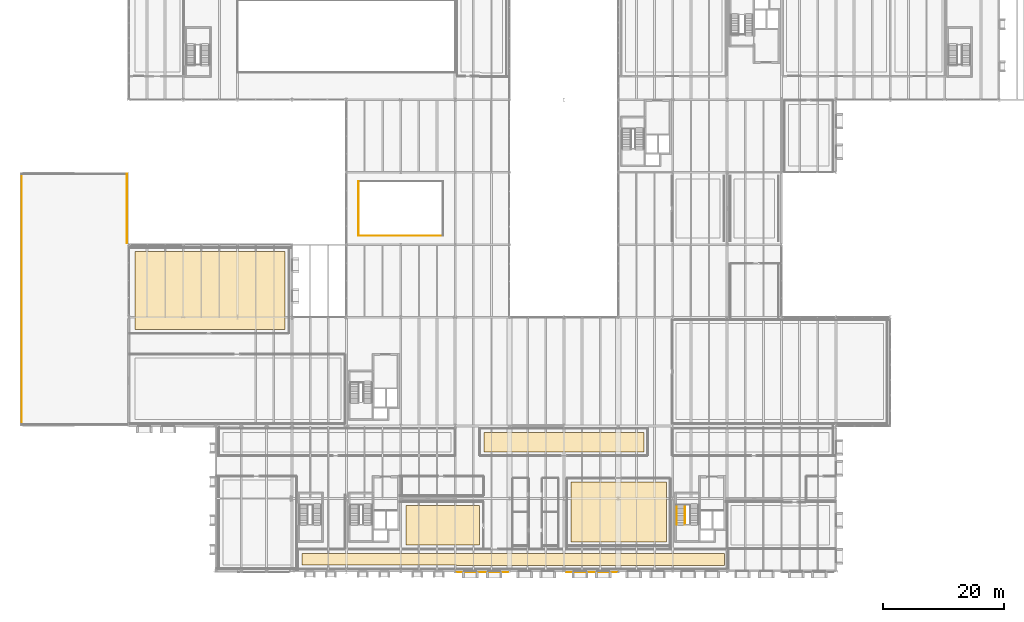
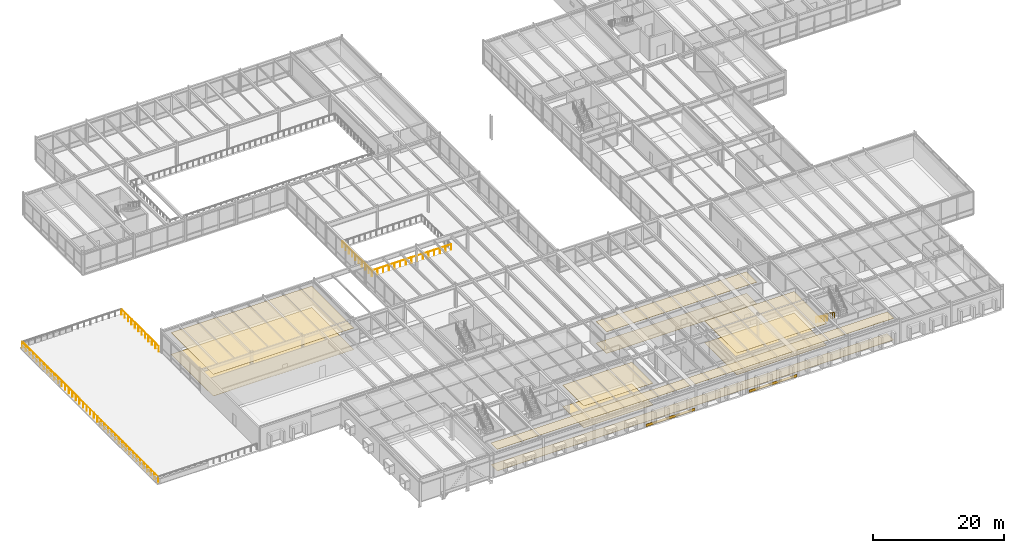
# One storey, part 121 of 127: 12 coverings, 6 railings.
"""IFC4 building model written with IfcOpenShell, lengths in metres."""

from ifc_helpers import new_model, si_unit, direction, frame, origin, origin_2d, place, context, subcontext, project, spatial, polyline, rectangle, circle, outline, extrude, material, layer, layer_set, type_object, element, save


model = new_model("IFC4")

# Units and contexts
model_context = context("Model", 3, precision=1e-05, world=origin(), true_north=direction((0.0, 1.0)))
body_context = subcontext(model_context, "Body", "Model", "MODEL_VIEW")
ifc_project = project(units=[si_unit("LENGTHUNIT", "METRE"), si_unit("AREAUNIT", "SQUARE_METRE"), si_unit("VOLUMEUNIT", "CUBIC_METRE"), si_unit("PLANEANGLEUNIT", "RADIAN"), si_unit("MASSUNIT", "GRAM", prefix="KILO")], contexts=[model_context])

# Site, building, storey
site_placement = place(None, origin())
site = spatial("IfcSite", under=ifc_project, at=site_placement, CompositionType="ELEMENT")
building_placement = place(site_placement, origin())
building = spatial("IfcBuilding", under=site, at=building_placement, Name="Montelvaro Courts of Justice", CompositionType="ELEMENT")
storey_placement = place(building_placement, frame((0.0, 0.0, 5.39990234375)))
storey = spatial("IfcBuildingStorey", under=building, at=storey_placement, Name="L01", CompositionType="ELEMENT", Elevation=5.39990234375)

# Coverings
ifc_material_1 = material(Name="Perforated acoustic gypsum ceiling")
ifc_layer_1 = layer(ifc_material_1, 0.0400390625)
ifc_layer_set_1 = layer_set([ifc_layer_1], Name="Perforated acoustic gypsum ceiling")
covering_type_1 = type_object("IfcCoveringType", Name="AcousticCeiling_Court", PredefinedType="CEILING", material=ifc_layer_set_1)
covering_1_placement = place(storey_placement, frame((0.0, 0.0, 4.02001953125)))
element("IfcCovering", 1, at=covering_1_placement, inside=storey, type_object=covering_type_1, Name="Acoustic Ceiling Panel AC-01 (L01-04)", PredefinedType="CEILING", context=body_context, shape_type="SweptSolid", body=[
    extrude(outline(polyline([(72.162109375, 0.99609375), (72.126953125, 1.0009765625), (72.072021484375, 1.007080078125), (72.037109375, 1.009033203125), (72.0, 1.010009765625), (46.64990234375, 1.010009765625), (46.64990234375, 2.949951171875), (116.550048828125, 2.949951171875), (116.550048828125, 0.949951171875), (72.342041015625, 0.949951171875), (72.31103515625, 0.9609375), (72.26708984375, 0.97412109375), (72.23193359375, 0.98291015625), (72.162109375, 0.99609375)])), origin(), (0.0, 0.0, 1.0), 0.0400390625),
])
covering_2_placement = place(storey_placement, frame((0.0, 0.0, 4.02001953125)))
element("IfcCovering", 2, at=covering_2_placement, inside=storey, type_object=covering_type_1, Name="Acoustic Ceiling Panel AC-01 (L01-23)", PredefinedType="CEILING", context=body_context, shape_type="SweptSolid", body=[
    extrude(outline(polyline([(19.050048828125, 52.85009765625), (43.85009765625, 52.85009765625), (43.85009765625, 39.949951171875), (19.050048828125, 39.949951171875), (19.050048828125, 52.85009765625)])), origin(), (0.0, 0.0, 1.0), 0.0400390625),
])
covering_3_placement = place(storey_placement, frame((0.0, 0.0, 4.02001953125)))
element("IfcCovering", 3, at=covering_3_placement, inside=storey, type_object=covering_type_1, Name="Acoustic Ceiling Panel AC-01 (L01-29)", PredefinedType="CEILING", context=body_context, shape_type="SweptSolid", body=[
    extrude(outline(polyline([(76.050048828125, 4.35009765625), (63.85009765625, 4.35009765625), (63.85009765625, 10.85009765625), (76.050048828125, 10.85009765625), (76.050048828125, 4.35009765625)])), origin(), (0.0, 0.0, 1.0), 0.0400390625),
])
covering_4_placement = place(storey_placement, frame((0.0, 0.0, 4.02001953125)))
element("IfcCovering", 4, at=covering_4_placement, inside=storey, type_object=covering_type_1, Name="Acoustic Ceiling Panel AC-01 (L01-32)", PredefinedType="CEILING", context=body_context, shape_type="SweptSolid", body=[
    extrude(outline(polyline([(76.75, 19.75), (76.75, 22.949951171875), (103.25, 22.949951171875), (103.25, 19.75), (76.75, 19.75)])), origin(), (0.0, 0.0, 1.0), 0.0400390625),
])
covering_5_placement = place(storey_placement, frame((0.0, 0.0, 4.02001953125)))
element("IfcCovering", 5, at=covering_5_placement, inside=storey, type_object=covering_type_1, Name="Acoustic Ceiling Panel AC-01 (L01-41)", PredefinedType="CEILING", context=body_context, shape_type="SweptSolid", body=[
    extrude(outline(polyline([(106.949951171875, 4.85009765625), (91.14990234375, 4.85009765625), (91.14990234375, 14.75), (106.949951171875, 14.75), (106.949951171875, 4.85009765625)])), origin(), (0.0, 0.0, 1.0), 0.0400390625),
])
ifc_material_2 = material(Name="White mineral precast concrete C45/55", Category="concrete")
ifc_layer_2 = layer(ifc_material_2, 0.0400390625)
ifc_layer_set_2 = layer_set([ifc_layer_2], Name="White mineral precast concrete C45/55")
covering_type_2 = type_object("IfcCoveringType", Name="BarCladding_GFRC", PredefinedType="CLADDING", material=ifc_layer_set_2)
covering_6_placement = place(storey_placement, frame((76.47509765625, -0.162109375, 0.030029296875), z_axis=(0.0, 0.0, 1.0), x_axis=(1.0, 0.0, 0.0)))
element("IfcCovering", 6, at=covering_6_placement, inside=storey, type_object=covering_type_2, Name="Horizontal White Bar Spandrel Cladding CL-01-006", PredefinedType="CLADDING", context=body_context, shape_type="SweptSolid", body=[
    extrude(rectangle(XDim=8.634033203125, YDim=0.0400390625, at=origin_2d()), origin(), (0.0, 0.0, 1.0), 0.5),
])
covering_7_placement = place(storey_placement, frame((94.58251953125, -0.162109375, 0.030029296875), z_axis=(0.0, 0.0, 1.0), x_axis=(1.0, 0.0, 0.0)))
element("IfcCovering", 7, at=covering_7_placement, inside=storey, type_object=covering_type_2, Name="Horizontal White Bar Spandrel Cladding CL-01-007", PredefinedType="CLADDING", context=body_context, shape_type="SweptSolid", body=[
    extrude(rectangle(XDim=8.4189453125, YDim=0.0400390625, at=origin_2d()), origin(), (0.0, 0.0, 1.0), 0.5),
])

# Railings
ifc_material_3 = material(Name="Steel S355", Category="steel")
railing_type_1 = type_object("IfcRailingType", Name="InteriorGuard_1100", PredefinedType="BALUSTRADE", material=ifc_material_3)
railing_1_placement = place(storey_placement, frame((110.010009765625, 11.0, 0.0)))
element("IfcRailing", 8, at=railing_1_placement, inside=storey, type_object=railing_type_1, Name="Stair Well Guard GR-02 ST-K2-L01-F1G", PredefinedType="BALUSTRADE", context=body_context, shape_type="SweptSolid", body=[
    extrude(circle(Radius=0.02392578125, at=origin_2d()), frame((0.0, 0.0, 1.076171875), z_axis=(0.0, -0.823407228882, 0.567450910146), x_axis=(1.0, 0.0, 0.0)), (0.0, 0.0, 1.0), 3.965087890625),
    extrude(circle(Radius=0.02099609375, at=origin_2d()), origin(), (0.0, 0.0, 1.0), 1.052001953125),
    extrude(circle(Radius=0.02099609375, at=origin_2d()), frame((0.0, -0.653076171875, 0.449951171875)), (0.0, 0.0, 1.0), 1.052001953125),
    extrude(circle(Radius=0.02099609375, at=origin_2d()), frame((0.0, -1.305908203125, 0.89990234375)), (0.0, 0.0, 1.0), 1.052001953125),
    extrude(circle(Radius=0.02099609375, at=origin_2d()), frame((0.0, -1.958984375, 1.35009765625)), (0.0, 0.0, 1.0), 1.052001953125),
    extrude(circle(Radius=0.02099609375, at=origin_2d()), frame((0.0, -2.61181640625, 1.800048828125)), (0.0, 0.0, 1.0), 1.052001953125),
    extrude(circle(Radius=0.02099609375, at=origin_2d()), frame((0.0, -3.264892578125, 2.25)), (0.0, 0.0, 1.0), 1.052001953125),
])
railing_2_placement = place(storey_placement, frame((56.0, 55.5, 0.0)))
element("IfcRailing", 9, at=railing_2_placement, inside=storey, type_object=railing_type_1, Name="Atrium Void Balustrade GR-02 (L01)", PredefinedType="BALUSTRADE", context=body_context, shape_type="SweptSolid", body=[
    extrude(circle(Radius=0.02392578125, at=origin_2d()), frame((0.0, 0.0, 1.076171875), z_axis=(1.0, 0.0, 0.0), x_axis=(0.0, 1.0, 0.0)), (0.0, 0.0, 1.0), 14.0),
    extrude(circle(Radius=0.02099609375, at=origin_2d()), origin(), (0.0, 0.0, 1.0), 1.052001953125),
    extrude(circle(Radius=0.02099609375, at=origin_2d()), frame((1.0, 0.0, 0.0)), (0.0, 0.0, 1.0), 1.052001953125),
    extrude(circle(Radius=0.02099609375, at=origin_2d()), frame((2.0, 0.0, 0.0)), (0.0, 0.0, 1.0), 1.052001953125),
    extrude(circle(Radius=0.02099609375, at=origin_2d()), frame((3.0, 0.0, 0.0)), (0.0, 0.0, 1.0), 1.052001953125),
    extrude(circle(Radius=0.02099609375, at=origin_2d()), frame((4.0, 0.0, 0.0)), (0.0, 0.0, 1.0), 1.052001953125),
    extrude(circle(Radius=0.02099609375, at=origin_2d()), frame((5.0, 0.0, 0.0)), (0.0, 0.0, 1.0), 1.052001953125),
    extrude(circle(Radius=0.02099609375, at=origin_2d()), frame((6.0, 0.0, 0.0)), (0.0, 0.0, 1.0), 1.052001953125),
    extrude(circle(Radius=0.02099609375, at=origin_2d()), frame((7.0, 0.0, 0.0)), (0.0, 0.0, 1.0), 1.052001953125),
    extrude(circle(Radius=0.02099609375, at=origin_2d()), frame((8.0, 0.0, 0.0)), (0.0, 0.0, 1.0), 1.052001953125),
    extrude(circle(Radius=0.02099609375, at=origin_2d()), frame((9.0, 0.0, 0.0)), (0.0, 0.0, 1.0), 1.052001953125),
    extrude(circle(Radius=0.02099609375, at=origin_2d()), frame((10.0, 0.0, 0.0)), (0.0, 0.0, 1.0), 1.052001953125),
    extrude(circle(Radius=0.02099609375, at=origin_2d()), frame((11.0, 0.0, 0.0)), (0.0, 0.0, 1.0), 1.052001953125),
    extrude(circle(Radius=0.02099609375, at=origin_2d()), frame((12.0, 0.0, 0.0)), (0.0, 0.0, 1.0), 1.052001953125),
    extrude(circle(Radius=0.02099609375, at=origin_2d()), frame((13.0, 0.0, 0.0)), (0.0, 0.0, 1.0), 1.052001953125),
    extrude(circle(Radius=0.02099609375, at=origin_2d()), frame((14.0, 0.0, 0.0)), (0.0, 0.0, 1.0), 1.052001953125),
])
railing_3_placement = place(storey_placement, frame((56.0, 64.5, 0.0)))
element("IfcRailing", 10, at=railing_3_placement, inside=storey, type_object=railing_type_1, Name="Atrium Void Balustrade GR-02 (L01)", PredefinedType="BALUSTRADE", context=body_context, shape_type="SweptSolid", body=[
    extrude(circle(Radius=0.02392578125, at=origin_2d()), frame((0.0, 0.0, 1.076171875), z_axis=(0.0, -1.0, 0.0), x_axis=(1.0, 0.0, 0.0)), (0.0, 0.0, 1.0), 9.0),
    extrude(circle(Radius=0.02099609375, at=origin_2d()), origin(), (0.0, 0.0, 1.0), 1.052001953125),
    extrude(circle(Radius=0.02099609375, at=origin_2d()), frame((0.0, -1.0, 0.0)), (0.0, 0.0, 1.0), 1.052001953125),
    extrude(circle(Radius=0.02099609375, at=origin_2d()), frame((0.0, -2.0, 0.0)), (0.0, 0.0, 1.0), 1.052001953125),
    extrude(circle(Radius=0.02099609375, at=origin_2d()), frame((0.0, -3.0, 0.0)), (0.0, 0.0, 1.0), 1.052001953125),
    extrude(circle(Radius=0.02099609375, at=origin_2d()), frame((0.0, -4.0, 0.0)), (0.0, 0.0, 1.0), 1.052001953125),
    extrude(circle(Radius=0.02099609375, at=origin_2d()), frame((0.0, -5.0, 0.0)), (0.0, 0.0, 1.0), 1.052001953125),
    extrude(circle(Radius=0.02099609375, at=origin_2d()), frame((0.0, -6.0, 0.0)), (0.0, 0.0, 1.0), 1.052001953125),
    extrude(circle(Radius=0.02099609375, at=origin_2d()), frame((0.0, -7.0, 0.0)), (0.0, 0.0, 1.0), 1.052001953125),
    extrude(circle(Radius=0.02099609375, at=origin_2d()), frame((0.0, -8.0, 0.0)), (0.0, 0.0, 1.0), 1.052001953125),
    extrude(circle(Radius=0.02099609375, at=origin_2d()), frame((0.0, -9.0, 0.0)), (0.0, 0.0, 1.0), 1.052001953125),
])

# Coverings
ifc_material_4 = material(Name="Alicante limestone judicial flooring", Category="masonry")
ifc_layer_3 = layer(ifc_material_4, 0.030029296875)
ifc_layer_set_3 = layer_set([ifc_layer_3], Name="Alicante limestone judicial flooring")
covering_type_3 = type_object("IfcCoveringType", Name="JudicialStoneFlooring", PredefinedType="FLOORING", material=ifc_layer_set_3)
covering_8_placement = place(storey_placement, origin())
element("IfcCovering", 11, at=covering_8_placement, inside=storey, type_object=covering_type_3, Name="Judicial Stone Flooring FLR-01 (L01-04)", PredefinedType="FLOORING", context=body_context, shape_type="SweptSolid", body=[
    extrude(outline(polyline([(72.162109375, 0.99609375), (72.126953125, 1.0009765625), (72.072021484375, 1.007080078125), (72.037109375, 1.009033203125), (72.0, 1.010009765625), (46.64990234375, 1.010009765625), (46.64990234375, 2.949951171875), (116.550048828125, 2.949951171875), (116.550048828125, 0.949951171875), (72.342041015625, 0.949951171875), (72.31103515625, 0.9609375), (72.26708984375, 0.97412109375), (72.23193359375, 0.98291015625), (72.162109375, 0.99609375)])), origin(), (0.0, 0.0, 1.0), 0.030029296875),
])
covering_9_placement = place(storey_placement, origin())
element("IfcCovering", 12, at=covering_9_placement, inside=storey, type_object=covering_type_3, Name="Judicial Stone Flooring FLR-01 (L01-23)", PredefinedType="FLOORING", context=body_context, shape_type="SweptSolid", body=[
    extrude(outline(polyline([(19.050048828125, 52.85009765625), (43.85009765625, 52.85009765625), (43.85009765625, 39.949951171875), (19.050048828125, 39.949951171875), (19.050048828125, 52.85009765625)])), origin(), (0.0, 0.0, 1.0), 0.030029296875),
])
covering_10_placement = place(storey_placement, origin())
element("IfcCovering", 13, at=covering_10_placement, inside=storey, type_object=covering_type_3, Name="Judicial Stone Flooring FLR-01 (L01-29)", PredefinedType="FLOORING", context=body_context, shape_type="SweptSolid", body=[
    extrude(outline(polyline([(76.050048828125, 4.35009765625), (63.85009765625, 4.35009765625), (63.85009765625, 10.85009765625), (76.050048828125, 10.85009765625), (76.050048828125, 4.35009765625)])), origin(), (0.0, 0.0, 1.0), 0.030029296875),
])
covering_11_placement = place(storey_placement, origin())
element("IfcCovering", 14, at=covering_11_placement, inside=storey, type_object=covering_type_3, Name="Judicial Stone Flooring FLR-01 (L01-32)", PredefinedType="FLOORING", context=body_context, shape_type="SweptSolid", body=[
    extrude(outline(polyline([(76.75, 19.75), (76.75, 22.949951171875), (103.25, 22.949951171875), (103.25, 19.75), (76.75, 19.75)])), origin(), (0.0, 0.0, 1.0), 0.030029296875),
])
covering_12_placement = place(storey_placement, origin())
element("IfcCovering", 15, at=covering_12_placement, inside=storey, type_object=covering_type_3, Name="Judicial Stone Flooring FLR-01 (L01-41)", PredefinedType="FLOORING", context=body_context, shape_type="SweptSolid", body=[
    extrude(outline(polyline([(106.949951171875, 4.85009765625), (91.14990234375, 4.85009765625), (91.14990234375, 14.75), (106.949951171875, 14.75), (106.949951171875, 4.85009765625)])), origin(), (0.0, 0.0, 1.0), 0.030029296875),
])

# Railings
ifc_material_5 = material(Name="Austenitic stainless steel EN 1.4401", Category="steel")
railing_type_2 = type_object("IfcRailingType", Name="StairHandrail_950", PredefinedType="HANDRAIL", material=ifc_material_5)
railing_4_placement = place(storey_placement, frame((108.659912109375, 11.0, 0.0)))
element("IfcRailing", 16, at=railing_4_placement, inside=storey, type_object=railing_type_2, Name="Stair Pitch Handrail HR-01 ST-K2-L01-F1H", PredefinedType="HANDRAIL", context=body_context, shape_type="SweptSolid", body=[
    extrude(circle(Radius=0.02392578125, at=origin_2d()), frame((0.0, 0.0, 0.92578125), z_axis=(0.0, -0.823407228882, 0.567450910146), x_axis=(1.0, 0.0, 0.0)), (0.0, 0.0, 1.0), 3.965087890625),
    extrude(circle(Radius=0.02099609375, at=origin_2d()), origin(), (0.0, 0.0, 1.0), 0.90185546875),
    extrude(circle(Radius=0.02099609375, at=origin_2d()), frame((0.0, -0.816162109375, 0.5625)), (0.0, 0.0, 1.0), 0.90185546875),
    extrude(circle(Radius=0.02099609375, at=origin_2d()), frame((0.0, -1.63232421875, 1.125)), (0.0, 0.0, 1.0), 0.90185546875),
    extrude(circle(Radius=0.02099609375, at=origin_2d()), frame((0.0, -2.44873046875, 1.6875)), (0.0, 0.0, 1.0), 0.90185546875),
    extrude(circle(Radius=0.02099609375, at=origin_2d()), frame((0.0, -3.264892578125, 2.25)), (0.0, 0.0, 1.0), 0.90185546875),
])
railing_type_3 = type_object("IfcRailingType", Name="TerraceGuard_1100", PredefinedType="BALUSTRADE", material=ifc_material_3)
railing_5_placement = place(storey_placement, frame((0.280029296875, 24.280029296875, 0.0)))
element("IfcRailing", 17, at=railing_5_placement, inside=storey, type_object=railing_type_3, Name="Terrace Balustrade Guard GR-01 (L01)", PredefinedType="BALUSTRADE", context=body_context, shape_type="SweptSolid", body=[
    extrude(circle(Radius=0.02392578125, at=origin_2d()), frame((0.0, 0.0, 1.076171875), z_axis=(0.0, 1.0, 0.0), x_axis=(-1.0, 0.0, 0.0)), (0.0, 0.0, 1.0), 41.43994140625),
    extrude(circle(Radius=0.02099609375, at=origin_2d()), origin(), (0.0, 0.0, 1.0), 1.052001953125),
    extrude(circle(Radius=0.02099609375, at=origin_2d()), frame((0.0, 1.090576171875, 0.0)), (0.0, 0.0, 1.0), 1.052001953125),
    extrude(circle(Radius=0.02099609375, at=origin_2d()), frame((0.0, 2.18115234375, 0.0)), (0.0, 0.0, 1.0), 1.052001953125),
    extrude(circle(Radius=0.02099609375, at=origin_2d()), frame((0.0, 3.271484375, 0.0)), (0.0, 0.0, 1.0), 1.052001953125),
    extrude(circle(Radius=0.02099609375, at=origin_2d()), frame((0.0, 4.362060546875, 0.0)), (0.0, 0.0, 1.0), 1.052001953125),
    extrude(circle(Radius=0.02099609375, at=origin_2d()), frame((0.0, 5.45263671875, 0.0)), (0.0, 0.0, 1.0), 1.052001953125),
    extrude(circle(Radius=0.02099609375, at=origin_2d()), frame((0.0, 6.543212890625, 0.0)), (0.0, 0.0, 1.0), 1.052001953125),
    extrude(circle(Radius=0.02099609375, at=origin_2d()), frame((0.0, 7.6337890625, 0.0)), (0.0, 0.0, 1.0), 1.052001953125),
    extrude(circle(Radius=0.02099609375, at=origin_2d()), frame((0.0, 8.72412109375, 0.0)), (0.0, 0.0, 1.0), 1.052001953125),
    extrude(circle(Radius=0.02099609375, at=origin_2d()), frame((0.0, 9.814697265625, 0.0)), (0.0, 0.0, 1.0), 1.052001953125),
    extrude(circle(Radius=0.02099609375, at=origin_2d()), frame((0.0, 10.9052734375, 0.0)), (0.0, 0.0, 1.0), 1.052001953125),
    extrude(circle(Radius=0.02099609375, at=origin_2d()), frame((0.0, 11.995849609375, 0.0)), (0.0, 0.0, 1.0), 1.052001953125),
    extrude(circle(Radius=0.02099609375, at=origin_2d()), frame((0.0, 13.086181640625, 0.0)), (0.0, 0.0, 1.0), 1.052001953125),
    extrude(circle(Radius=0.02099609375, at=origin_2d()), frame((0.0, 14.1767578125, 0.0)), (0.0, 0.0, 1.0), 1.052001953125),
    extrude(circle(Radius=0.02099609375, at=origin_2d()), frame((0.0, 15.267333984375, 0.0)), (0.0, 0.0, 1.0), 1.052001953125),
    extrude(circle(Radius=0.02099609375, at=origin_2d()), frame((0.0, 16.35791015625, 0.0)), (0.0, 0.0, 1.0), 1.052001953125),
    extrude(circle(Radius=0.02099609375, at=origin_2d()), frame((0.0, 17.448486328125, 0.0)), (0.0, 0.0, 1.0), 1.052001953125),
    extrude(circle(Radius=0.02099609375, at=origin_2d()), frame((0.0, 18.538818359375, 0.0)), (0.0, 0.0, 1.0), 1.052001953125),
    extrude(circle(Radius=0.02099609375, at=origin_2d()), frame((0.0, 19.62939453125, 0.0)), (0.0, 0.0, 1.0), 1.052001953125),
    extrude(circle(Radius=0.02099609375, at=origin_2d()), frame((0.0, 20.719970703125, 0.0)), (0.0, 0.0, 1.0), 1.052001953125),
    extrude(circle(Radius=0.02099609375, at=origin_2d()), frame((0.0, 21.810546875, 0.0)), (0.0, 0.0, 1.0), 1.052001953125),
    extrude(circle(Radius=0.02099609375, at=origin_2d()), frame((0.0, 22.901123046875, 0.0)), (0.0, 0.0, 1.0), 1.052001953125),
    extrude(circle(Radius=0.02099609375, at=origin_2d()), frame((0.0, 23.991455078125, 0.0)), (0.0, 0.0, 1.0), 1.052001953125),
    extrude(circle(Radius=0.02099609375, at=origin_2d()), frame((0.0, 25.08203125, 0.0)), (0.0, 0.0, 1.0), 1.052001953125),
    extrude(circle(Radius=0.02099609375, at=origin_2d()), frame((0.0, 26.172607421875, 0.0)), (0.0, 0.0, 1.0), 1.052001953125),
    extrude(circle(Radius=0.02099609375, at=origin_2d()), frame((0.0, 27.26318359375, 0.0)), (0.0, 0.0, 1.0), 1.052001953125),
    extrude(circle(Radius=0.02099609375, at=origin_2d()), frame((0.0, 28.353759765625, 0.0)), (0.0, 0.0, 1.0), 1.052001953125),
    extrude(circle(Radius=0.02099609375, at=origin_2d()), frame((0.0, 29.444091796875, 0.0)), (0.0, 0.0, 1.0), 1.052001953125),
    extrude(circle(Radius=0.02099609375, at=origin_2d()), frame((0.0, 30.53466796875, 0.0)), (0.0, 0.0, 1.0), 1.052001953125),
    extrude(circle(Radius=0.02099609375, at=origin_2d()), frame((0.0, 31.625244140625, 0.0)), (0.0, 0.0, 1.0), 1.052001953125),
    extrude(circle(Radius=0.02099609375, at=origin_2d()), frame((0.0, 32.7158203125, 0.0)), (0.0, 0.0, 1.0), 1.052001953125),
    extrude(circle(Radius=0.02099609375, at=origin_2d()), frame((0.0, 33.80615234375, 0.0)), (0.0, 0.0, 1.0), 1.052001953125),
    extrude(circle(Radius=0.02099609375, at=origin_2d()), frame((0.0, 34.896728515625, 0.0)), (0.0, 0.0, 1.0), 1.052001953125),
    extrude(circle(Radius=0.02099609375, at=origin_2d()), frame((0.0, 35.9873046875, 0.0)), (0.0, 0.0, 1.0), 1.052001953125),
    extrude(circle(Radius=0.02099609375, at=origin_2d()), frame((0.0, 37.077880859375, 0.0)), (0.0, 0.0, 1.0), 1.052001953125),
    extrude(circle(Radius=0.02099609375, at=origin_2d()), frame((0.0, 38.16845703125, 0.0)), (0.0, 0.0, 1.0), 1.052001953125),
    extrude(circle(Radius=0.02099609375, at=origin_2d()), frame((0.0, 39.2587890625, 0.0)), (0.0, 0.0, 1.0), 1.052001953125),
    extrude(circle(Radius=0.02099609375, at=origin_2d()), frame((0.0, 40.349365234375, 0.0)), (0.0, 0.0, 1.0), 1.052001953125),
    extrude(circle(Radius=0.02099609375, at=origin_2d()), frame((0.0, 41.43994140625, 0.0)), (0.0, 0.0, 1.0), 1.052001953125),
])
railing_6_placement = place(storey_placement, frame((17.719970703125, 54.280029296875, 0.0)))
element("IfcRailing", 18, at=railing_6_placement, inside=storey, type_object=railing_type_3, Name="Terrace Balustrade Guard GR-01 (L01)", PredefinedType="BALUSTRADE", context=body_context, shape_type="SweptSolid", body=[
    extrude(circle(Radius=0.02392578125, at=origin_2d()), frame((0.0, 0.0, 1.076171875), z_axis=(0.0, 1.0, 0.0), x_axis=(-1.0, 0.0, 0.0)), (0.0, 0.0, 1.0), 11.43994140625),
    extrude(circle(Radius=0.02099609375, at=origin_2d()), origin(), (0.0, 0.0, 1.0), 1.052001953125),
    extrude(circle(Radius=0.02099609375, at=origin_2d()), frame((0.0, 1.0400390625, 0.0)), (0.0, 0.0, 1.0), 1.052001953125),
    extrude(circle(Radius=0.02099609375, at=origin_2d()), frame((0.0, 2.080078125, 0.0)), (0.0, 0.0, 1.0), 1.052001953125),
    extrude(circle(Radius=0.02099609375, at=origin_2d()), frame((0.0, 3.119873046875, 0.0)), (0.0, 0.0, 1.0), 1.052001953125),
    extrude(circle(Radius=0.02099609375, at=origin_2d()), frame((0.0, 4.159912109375, 0.0)), (0.0, 0.0, 1.0), 1.052001953125),
    extrude(circle(Radius=0.02099609375, at=origin_2d()), frame((0.0, 5.199951171875, 0.0)), (0.0, 0.0, 1.0), 1.052001953125),
    extrude(circle(Radius=0.02099609375, at=origin_2d()), frame((0.0, 6.239990234375, 0.0)), (0.0, 0.0, 1.0), 1.052001953125),
    extrude(circle(Radius=0.02099609375, at=origin_2d()), frame((0.0, 7.280029296875, 0.0)), (0.0, 0.0, 1.0), 1.052001953125),
    extrude(circle(Radius=0.02099609375, at=origin_2d()), frame((0.0, 8.320068359375, 0.0)), (0.0, 0.0, 1.0), 1.052001953125),
    extrude(circle(Radius=0.02099609375, at=origin_2d()), frame((0.0, 9.35986328125, 0.0)), (0.0, 0.0, 1.0), 1.052001953125),
    extrude(circle(Radius=0.02099609375, at=origin_2d()), frame((0.0, 10.39990234375, 0.0)), (0.0, 0.0, 1.0), 1.052001953125),
    extrude(circle(Radius=0.02099609375, at=origin_2d()), frame((0.0, 11.43994140625, 0.0)), (0.0, 0.0, 1.0), 1.052001953125),
])

save(model, "model.ifc")
